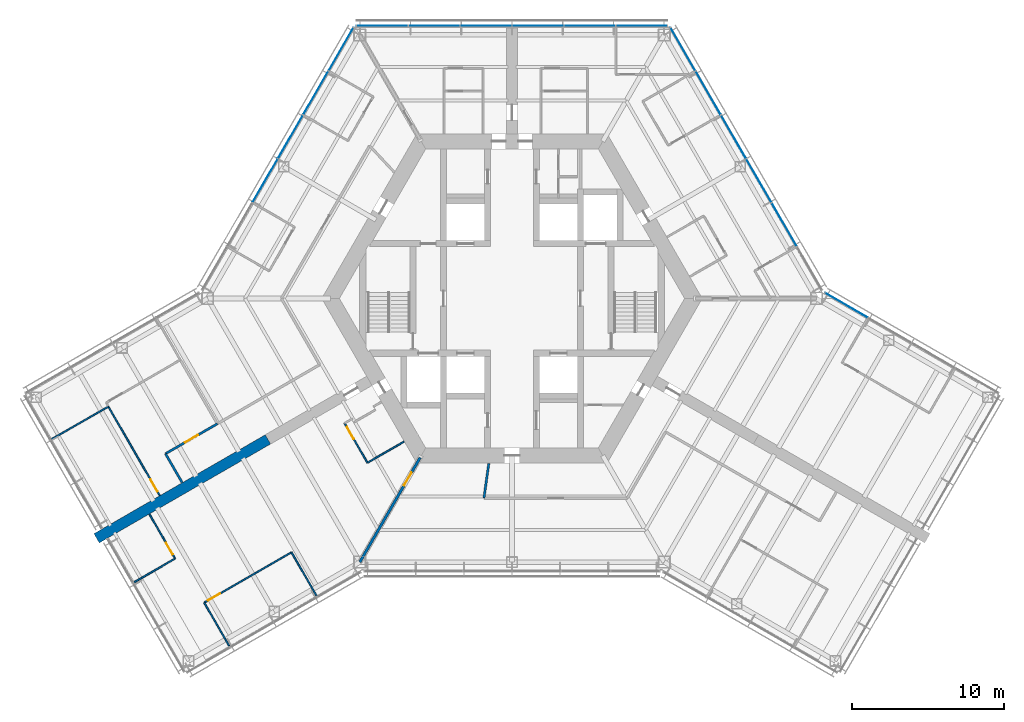
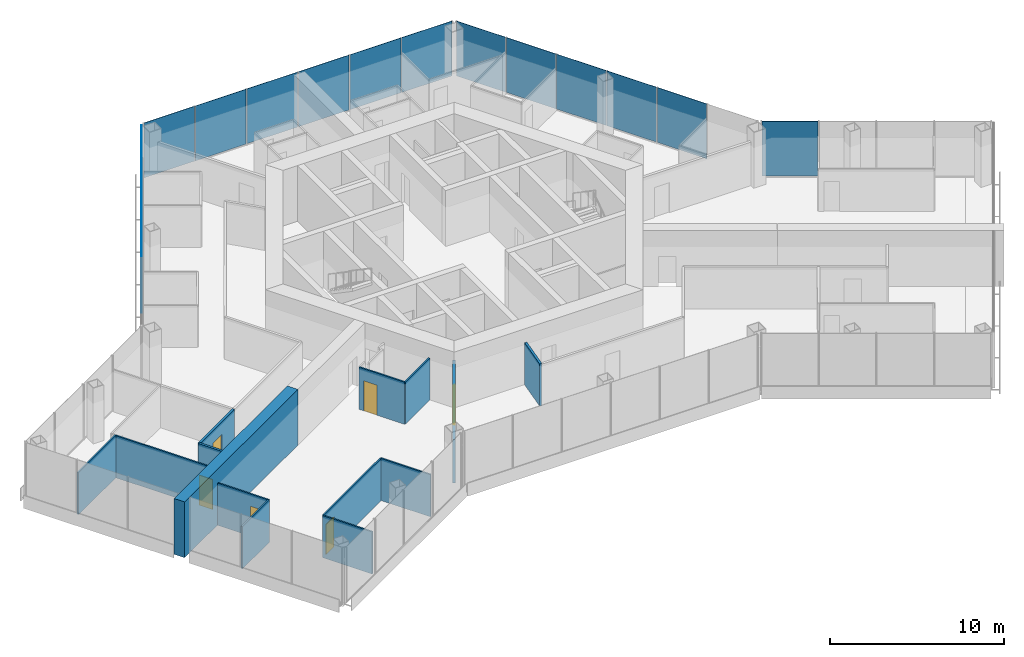
# One storey, part 11 of 18: 16 plates, 14 walls, 6 doors, 6 openings, 4 elements without a shape of their own.
"""IFC4 building model written with IfcOpenShell, lengths in metres."""

import ifcopenshell
import ifcopenshell.guid

model = None  # the IFC model being written
_history = None  # IfcOwnerHistory: only IFC2X3 demands one
_inside = {}  # id of a spatial element -> (the spatial element, [elements in it])
_under = {}  # id of a project, library or spatial element -> (it, [spatial elements below it])
_declared = {}  # id of a project -> (the project, [libraries it declares])
_typed = {}  # id of a type object -> (the type object, [elements of that type])
_made_of = {}  # id of a material, layer set ... -> (it, [elements and type objects made of it])


def new_model(schema):
    """Start an empty IFC model of exactly this schema.

    Asked for "IFC4X3", IfcOpenShell would pick the latest addendum, in which some entities
    have other attributes; the version numbers below select the first issue.
    IFC2X3 requires an IfcOwnerHistory on every rooted entity: one is made here for all.
    """
    global model, _history
    if schema == "IFC4X3":
        model = ifcopenshell.file(schema_version=(4, 3, 0, 0))
    else:
        model = ifcopenshell.file(schema=schema)
    _inside.clear()
    _under.clear()
    _declared.clear()
    _typed.clear()
    _made_of.clear()
    _history = None
    if model.schema == "IFC2X3":
        org = make("IfcOrganization", Name="unknown")
        user = make(
            "IfcPersonAndOrganization",
            ThePerson=make("IfcPerson", FamilyName="unknown"),
            TheOrganization=org,
        )
        app = make(
            "IfcApplication",
            ApplicationDeveloper=org,
            Version="unknown",
            ApplicationFullName="unknown",
            ApplicationIdentifier="unknown",
        )
        _history = make(
            "IfcOwnerHistory",
            OwningUser=user,
            OwningApplication=app,
            ChangeAction="ADDED",
            CreationDate=0,
        )
    return model


def make(cls, **values):
    """One entity of the class cls with the attributes given. An attribute that is None is left unset."""
    return model.create_entity(
        cls, **{name: value for name, value in values.items() if value is not None}
    )


def rooted(cls, **values):
    """An entity with a GlobalId (a new one), such as an element, a storey or a relation."""
    return make(cls, GlobalId=ifcopenshell.guid.new(), OwnerHistory=_history, **values)


def si_unit(unit_type, name, prefix=None):
    """IfcSIUnit, for example si_unit("LENGTHUNIT", "METRE", prefix="MILLI")."""
    return make("IfcSIUnit", UnitType=unit_type, Prefix=prefix, Name=name)


def assignment(units):
    """IfcUnitAssignment: the units of a project."""
    return None if units is None else make("IfcUnitAssignment", Units=units)


def point(xyz):
    """IfcCartesianPoint."""
    return None if xyz is None else make("IfcCartesianPoint", Coordinates=xyz)


def direction(xyz):
    """IfcDirection."""
    return None if xyz is None else make("IfcDirection", DirectionRatios=xyz)


def frame(location, z_axis=None, x_axis=None):
    """IfcAxis2Placement3D, a coordinate frame: its origin and axes. An axis left out is left unset."""
    return make(
        "IfcAxis2Placement3D",
        Location=point(location),
        Axis=direction(z_axis),
        RefDirection=direction(x_axis),
    )


def frame_2d(location, x_axis=None):
    """IfcAxis2Placement2D, a coordinate frame in the plane: its origin and x axis."""
    return make(
        "IfcAxis2Placement2D", Location=point(location), RefDirection=direction(x_axis)
    )


def origin():
    """The frame at (0, 0, 0) with its axes left unset."""
    return frame((0.0, 0.0, 0.0))


def origin_2d():
    """The frame at (0, 0) in the plane with its x axis left unset."""
    return frame_2d((0.0, 0.0))


def place(relative_to, where):
    """IfcLocalPlacement: puts the frame where relative to a parent placement (None: the world)."""
    return make(
        "IfcLocalPlacement", PlacementRelTo=relative_to, RelativePlacement=where
    )


def context(
    kind, dimensions, precision=None, world=None, true_north=None, identifier=None
):
    """IfcGeometricRepresentationContext, for example the 3D "Model" context."""
    return make(
        "IfcGeometricRepresentationContext",
        ContextIdentifier=identifier,
        ContextType=kind,
        CoordinateSpaceDimension=dimensions,
        Precision=precision,
        WorldCoordinateSystem=world,
        TrueNorth=true_north,
    )


def subcontext(parent, identifier, kind, view, scale=None):
    """IfcGeometricRepresentationSubContext, for example "Body" below "Model"."""
    return make(
        "IfcGeometricRepresentationSubContext",
        ContextIdentifier=identifier,
        ContextType=kind,
        ParentContext=parent,
        TargetScale=scale,
        TargetView=view,
    )


def project(units=None, contexts=None):
    """IfcProject with its units and contexts."""
    return rooted(
        "IfcProject",
        Name="project",
        RepresentationContexts=contexts,
        UnitsInContext=assignment(units),
    )


def spatial(cls, under=None, at=None, **own):
    """A site, building, storey or space (cls), placed at a placement, below another one or the project."""
    s = rooted(cls, ObjectPlacement=at, **own)
    if under is not None:
        _under.setdefault(under.id(), (under, []))[1].append(s)
    return s


def profile(cls, at=None, kind="AREA", **sizes):
    """A parametric profile (cls). Its sizes go by their IFC names, for example OverallWidth=200.0."""
    return make(cls, ProfileType=kind, Position=at, **sizes)


def rectangle(**sizes):
    """IfcRectangleProfileDef."""
    return profile("IfcRectangleProfileDef", **sizes)


def extrude(swept, where, along, depth):
    """IfcExtrudedAreaSolid: the profile swept, set in the frame where, extruded along a direction by depth."""
    return make(
        "IfcExtrudedAreaSolid",
        SweptArea=swept,
        Position=where,
        ExtrudedDirection=direction(along),
        Depth=depth,
    )


def shape(context_of_items, identifier, shape_type, items):
    """IfcShapeRepresentation: the items that make up one representation, for example the "Body"."""
    return make(
        "IfcShapeRepresentation",
        ContextOfItems=context_of_items,
        RepresentationIdentifier=identifier,
        RepresentationType=shape_type,
        Items=items,
    )


def material(Name=None, Category=None):
    """IfcMaterial."""
    return make("IfcMaterial", Name=Name, Category=Category)


def layer(
    of_material, thickness, ventilated=None, Name=None, Category=None, Priority=None
):
    """IfcMaterialLayer: one layer of a wall or slab, of a material (None: an air gap)."""
    return make(
        "IfcMaterialLayer",
        Material=of_material,
        LayerThickness=thickness,
        IsVentilated=ventilated,
        Name=Name,
        Category=Category,
        Priority=Priority,
    )


def layer_set(layers, Name=None):
    """IfcMaterialLayerSet."""
    return make("IfcMaterialLayerSet", MaterialLayers=layers, LayerSetName=Name)


def made_of(thing, what):
    """Note that an element or type object is made of a material, layer set ...; save() writes the relation."""
    if what is not None:
        _made_of.setdefault(what.id(), (what, []))[1].append(thing)
    return thing


def type_object(cls, material=None, **own):
    """A type object (cls), such as IfcWallType, which elements share."""
    return made_of(rooted(cls, **own), material)


def element(
    cls,
    number,
    at=None,
    inside=None,
    cuts=None,
    type_object=None,
    material=None,
    context=None,
    identifier="Body",
    shape_type=None,
    held_by="IfcProductDefinitionShape",
    body=None,
    shapes=None,
    **own,
):
    """One element of the class cls, such as IfcWall. Its Tag is "e" and its number.

    at: its placement. inside: the storey or other place that contains it. cuts: it is an
    opening in that element (IfcRelVoidsElement). A single representation is given by context,
    identifier, shape_type and body (its items); several are given by shapes. held_by: the class
    of the entity that holds the representations. save() writes the other relations.
    """
    e = rooted(cls, Tag="e%d" % number, ObjectPlacement=at, **own)
    if body is not None:
        shapes = [shape(context, identifier, shape_type, body)]
    if shapes is not None:
        e.Representation = make(held_by, Representations=shapes)
    if inside is not None:
        _inside.setdefault(inside.id(), (inside, []))[1].append(e)
    if cuts is not None:
        rooted(
            "IfcRelVoidsElement", RelatingBuildingElement=cuts, RelatedOpeningElement=e
        )
    if type_object is not None:
        _typed.setdefault(type_object.id(), (type_object, []))[1].append(e)
    return made_of(e, material)


def fill(opening, filler):
    """IfcRelFillsElement: the door or window that sits in an opening."""
    return rooted(
        "IfcRelFillsElement",
        RelatingOpeningElement=opening,
        RelatedBuildingElement=filler,
    )


def aggregate(whole, parts):
    """IfcRelAggregates: a whole, such as a stair, and the parts it consists of."""
    return rooted("IfcRelAggregates", RelatingObject=whole, RelatedObjects=parts)


def save(model, path):
    """Write the relations noted so far, then the file.

    IfcRelAggregates (storeys below a building ...), IfcRelContainedInSpatialStructure (elements
    in a storey), IfcRelDefinesByType, IfcRelAssociatesMaterial and IfcRelDeclares: one each for
    every whole, place, type object, material and project.
    """
    for whole, parts in _under.values():
        aggregate(whole, parts)
    for where, things in _inside.values():
        rooted(
            "IfcRelContainedInSpatialStructure",
            RelatedElements=things,
            RelatingStructure=where,
        )
    for kind, things in _typed.values():
        rooted("IfcRelDefinesByType", RelatedObjects=things, RelatingType=kind)
    for what, things in _made_of.values():
        rooted("IfcRelAssociatesMaterial", RelatedObjects=things, RelatingMaterial=what)
    for by, libraries in _declared.values():
        rooted("IfcRelDeclares", RelatingContext=by, RelatedDefinitions=libraries)
    model.write(path)


model = new_model("IFC4")

# Units and contexts
model_context = context("Model", 3, precision=1e-05, world=origin(), true_north=direction((0.0, 1.0)))
body_context = subcontext(model_context, "Body", "Model", "MODEL_VIEW")
ifc_project = project(units=[si_unit("LENGTHUNIT", "METRE"), si_unit("AREAUNIT", "SQUARE_METRE"), si_unit("VOLUMEUNIT", "CUBIC_METRE"), si_unit("PLANEANGLEUNIT", "RADIAN"), si_unit("MASSUNIT", "GRAM", prefix="KILO")], contexts=[model_context])

# Site, building, storey
site_placement = place(None, origin())
site = spatial("IfcSite", under=ifc_project, at=site_placement, CompositionType="ELEMENT")
building_placement = place(site_placement, origin())
building = spatial("IfcBuilding", under=site, at=building_placement, Name="Kasaneha Research Tower", CompositionType="ELEMENT")
storey_placement = place(building_placement, frame((0.0, 0.0, 148.699951171875)))
storey = spatial("IfcBuildingStorey", under=building, at=storey_placement, Name="L37", CompositionType="ELEMENT", Elevation=148.699951171875)

# Curtain wall, plate
ifc_material_1 = material(Name="Glass and aluminium", Category="aluminium")
curtain_wall_type = type_object("IfcCurtainWallType", Name="Mid-rise office curtain wall", PredefinedType="USERDEFINED", material=ifc_material_1)
curtain_wall_1_placement = place(storey_placement, origin())
curtain_wall_1 = element("IfcCurtainWall", 1, at=curtain_wall_1_placement, inside=storey, type_object=curtain_wall_type, Name="CW-O2 L37 run 05a", ObjectType="UNITISED CURTAIN WALL", PredefinedType="USERDEFINED")
ifc_material_2 = material(Name="Laminated double glazing", Category="glass")
ifc_layer_1 = layer(ifc_material_2, 0.02587890625)
ifc_layer_set_1 = layer_set([ifc_layer_1], Name="CW-O2 glazed panel")
plate_type = type_object("IfcPlateType", Name="CW-O2 glazed panel", PredefinedType="CURTAIN_PANEL", material=ifc_layer_set_1)
plate_1_placement = place(storey_placement, frame((21.971923828125, -0.44580078125, 0.06005859375), z_axis=(0.0, 0.0, 1.0), x_axis=(-0.866025411464, 0.499999986699, 0.0)))
plate_1 = element("IfcPlate", 2, at=plate_1_placement, type_object=plate_type, Name="CW-O2 panel 4", PredefinedType="CURTAIN_PANEL", context=body_context, shape_type="SweptSolid", body=[
    extrude(rectangle(XDim=3.2197265625, YDim=0.02587890625, at=origin_2d()), origin(), (0.0, 0.0, 1.0), 3.840087890625),
])
aggregate(curtain_wall_1, [plate_1])

# Curtain wall, plates
curtain_wall_2_placement = place(storey_placement, origin())
curtain_wall_2 = element("IfcCurtainWall", 3, at=curtain_wall_2_placement, inside=storey, type_object=curtain_wall_type, Name="CW-O2 L37 run 06a", ObjectType="UNITISED CURTAIN WALL", PredefinedType="USERDEFINED")
plate_2_placement = place(storey_placement, frame((17.89111328125, 4.852783203125, 0.06005859375), z_axis=(0.0, 0.0, 1.0), x_axis=(-0.499999979232, 0.866025415775, 0.0)))
plate_2 = element("IfcPlate", 4, at=plate_2_placement, type_object=plate_type, Name="CW-O2 panel 2", PredefinedType="CURTAIN_PANEL", context=body_context, shape_type="SweptSolid", body=[
    extrude(rectangle(XDim=3.27099609375, YDim=0.02587890625, at=origin_2d()), origin(), (0.0, 0.0, 1.0), 3.840087890625),
])
plate_3_placement = place(storey_placement, frame((16.2255859375, 7.737548828125, 0.06005859375), z_axis=(0.0, 0.0, 1.0), x_axis=(-0.499999979232, 0.866025415775, 0.0)))
plate_3 = element("IfcPlate", 5, at=plate_3_placement, type_object=plate_type, Name="CW-O2 panel 3", PredefinedType="CURTAIN_PANEL", context=body_context, shape_type="SweptSolid", body=[
    extrude(rectangle(XDim=3.27099609375, YDim=0.02587890625, at=origin_2d()), origin(), (0.0, 0.0, 1.0), 3.840087890625),
])
plate_4_placement = place(storey_placement, frame((14.56005859375, 10.622314453125, 0.06005859375), z_axis=(0.0, 0.0, 1.0), x_axis=(-0.499999979232, 0.866025415775, 0.0)))
plate_4 = element("IfcPlate", 6, at=plate_4_placement, type_object=plate_type, Name="CW-O2 panel 4", PredefinedType="CURTAIN_PANEL", context=body_context, shape_type="SweptSolid", body=[
    extrude(rectangle(XDim=3.27099609375, YDim=0.02587890625, at=origin_2d()), origin(), (0.0, 0.0, 1.0), 3.840087890625),
])
plate_5_placement = place(storey_placement, frame((12.89453125, 13.5068359375, 0.06005859375), z_axis=(0.0, 0.0, 1.0), x_axis=(-0.499999979232, 0.866025415775, 0.0)))
plate_5 = element("IfcPlate", 7, at=plate_5_placement, type_object=plate_type, Name="CW-O2 panel 5", PredefinedType="CURTAIN_PANEL", context=body_context, shape_type="SweptSolid", body=[
    extrude(rectangle(XDim=3.27099609375, YDim=0.02587890625, at=origin_2d()), origin(), (0.0, 0.0, 1.0), 3.840087890625),
])
plate_6_placement = place(storey_placement, frame((11.236572265625, 16.378662109375, 0.06005859375), z_axis=(0.0, 0.0, 1.0), x_axis=(-0.499999979232, 0.866025415775, 0.0)))
plate_6 = element("IfcPlate", 8, at=plate_6_placement, type_object=plate_type, Name="CW-O2 panel 6", PredefinedType="CURTAIN_PANEL", context=body_context, shape_type="SweptSolid", body=[
    extrude(rectangle(XDim=3.240966796875, YDim=0.02587890625, at=origin_2d()), origin(), (0.0, 0.0, 1.0), 3.840087890625),
])
aggregate(curtain_wall_2, [plate_2, plate_3, plate_4, plate_5, plate_6])

curtain_wall_3_placement = place(storey_placement, origin())
curtain_wall_3 = element("IfcCurtainWall", 9, at=curtain_wall_3_placement, inside=storey, type_object=curtain_wall_type, Name="CW-O2 L37 run 07a", ObjectType="UNITISED CURTAIN WALL", PredefinedType="USERDEFINED")
plate_7_placement = place(storey_placement, frame((8.523681640625, 17.92041015625, 0.06005859375), z_axis=(0.0, 0.0, 1.0), x_axis=(-1.0, 0.0, 0.0)))
plate_7 = element("IfcPlate", 10, at=plate_7_placement, type_object=plate_type, Name="CW-O2 panel 1", PredefinedType="CURTAIN_PANEL", context=body_context, shape_type="SweptSolid", body=[
    extrude(rectangle(XDim=3.325439453125, YDim=0.02587890625, at=origin_2d()), origin(), (0.0, 0.0, 1.0), 3.840087890625),
])
plate_8_placement = place(storey_placement, frame((5.123291015625, 17.92041015625, 0.06005859375), z_axis=(0.0, 0.0, 1.0), x_axis=(-1.0, 0.0, 0.0)))
plate_8 = element("IfcPlate", 11, at=plate_8_placement, type_object=plate_type, Name="CW-O2 panel 2", PredefinedType="CURTAIN_PANEL", context=body_context, shape_type="SweptSolid", body=[
    extrude(rectangle(XDim=3.35546875, YDim=0.02587890625, at=origin_2d()), origin(), (0.0, 0.0, 1.0), 3.840087890625),
])
plate_9_placement = place(storey_placement, frame((1.707763671875, 17.92041015625, 0.06005859375), z_axis=(0.0, 0.0, 1.0), x_axis=(-1.0, 0.0, 0.0)))
plate_9 = element("IfcPlate", 12, at=plate_9_placement, type_object=plate_type, Name="CW-O2 panel 3", PredefinedType="CURTAIN_PANEL", context=body_context, shape_type="SweptSolid", body=[
    extrude(rectangle(XDim=3.35546875, YDim=0.02587890625, at=origin_2d()), origin(), (0.0, 0.0, 1.0), 3.840087890625),
])
plate_10_placement = place(storey_placement, frame((-1.707763671875, 17.92041015625, 0.06005859375), z_axis=(0.0, 0.0, 1.0), x_axis=(-1.0, 0.0, 0.0)))
plate_10 = element("IfcPlate", 13, at=plate_10_placement, type_object=plate_type, Name="CW-O2 panel 4", PredefinedType="CURTAIN_PANEL", context=body_context, shape_type="SweptSolid", body=[
    extrude(rectangle(XDim=3.35546875, YDim=0.02587890625, at=origin_2d()), origin(), (0.0, 0.0, 1.0), 3.840087890625),
])
plate_11_placement = place(storey_placement, frame((-5.123291015625, 17.92041015625, 0.06005859375), z_axis=(0.0, 0.0, 1.0), x_axis=(-1.0, 0.0, 0.0)))
plate_11 = element("IfcPlate", 14, at=plate_11_placement, type_object=plate_type, Name="CW-O2 panel 5", PredefinedType="CURTAIN_PANEL", context=body_context, shape_type="SweptSolid", body=[
    extrude(rectangle(XDim=3.35546875, YDim=0.02587890625, at=origin_2d()), origin(), (0.0, 0.0, 1.0), 3.840087890625),
])
plate_12_placement = place(storey_placement, frame((-8.523681640625, 17.92041015625, 0.06005859375), z_axis=(0.0, 0.0, 1.0), x_axis=(-1.0, 0.0, 0.0)))
plate_12 = element("IfcPlate", 15, at=plate_12_placement, type_object=plate_type, Name="CW-O2 panel 6", PredefinedType="CURTAIN_PANEL", context=body_context, shape_type="SweptSolid", body=[
    extrude(rectangle(XDim=3.325439453125, YDim=0.02587890625, at=origin_2d()), origin(), (0.0, 0.0, 1.0), 3.840087890625),
])
aggregate(curtain_wall_3, [plate_7, plate_8, plate_9, plate_10, plate_11, plate_12])

curtain_wall_4_placement = place(storey_placement, origin())
curtain_wall_4 = element("IfcCurtainWall", 16, at=curtain_wall_4_placement, inside=storey, type_object=curtain_wall_type, Name="CW-O2 L37 run 08a", ObjectType="UNITISED CURTAIN WALL", PredefinedType="USERDEFINED")
plate_13_placement = place(storey_placement, frame((-11.236572265625, 16.378662109375, 0.06005859375), z_axis=(0.0, 0.0, 1.0), x_axis=(-0.499999979232, -0.866025415775, 0.0)))
plate_13 = element("IfcPlate", 17, at=plate_13_placement, type_object=plate_type, Name="CW-O2 panel 1", PredefinedType="CURTAIN_PANEL", context=body_context, shape_type="SweptSolid", body=[
    extrude(rectangle(XDim=3.240966796875, YDim=0.02587890625, at=origin_2d()), origin(), (0.0, 0.0, 1.0), 3.840087890625),
])
plate_14_placement = place(storey_placement, frame((-12.89453125, 13.5068359375, 0.06005859375), z_axis=(0.0, 0.0, 1.0), x_axis=(-0.499999979232, -0.866025415775, 0.0)))
plate_14 = element("IfcPlate", 18, at=plate_14_placement, type_object=plate_type, Name="CW-O2 panel 2", PredefinedType="CURTAIN_PANEL", context=body_context, shape_type="SweptSolid", body=[
    extrude(rectangle(XDim=3.27099609375, YDim=0.02587890625, at=origin_2d()), origin(), (0.0, 0.0, 1.0), 3.840087890625),
])
plate_15_placement = place(storey_placement, frame((-14.56005859375, 10.622314453125, 0.06005859375), z_axis=(0.0, 0.0, 1.0), x_axis=(-0.499999979232, -0.866025415775, 0.0)))
plate_15 = element("IfcPlate", 19, at=plate_15_placement, type_object=plate_type, Name="CW-O2 panel 3", PredefinedType="CURTAIN_PANEL", context=body_context, shape_type="SweptSolid", body=[
    extrude(rectangle(XDim=3.27099609375, YDim=0.02587890625, at=origin_2d()), origin(), (0.0, 0.0, 1.0), 3.840087890625),
])
plate_16_placement = place(storey_placement, frame((-16.2255859375, 7.737548828125, 0.06005859375), z_axis=(0.0, 0.0, 1.0), x_axis=(-0.499999979232, -0.866025415775, 0.0)))
plate_16 = element("IfcPlate", 20, at=plate_16_placement, type_object=plate_type, Name="CW-O2 panel 4", PredefinedType="CURTAIN_PANEL", context=body_context, shape_type="SweptSolid", body=[
    extrude(rectangle(XDim=3.27099609375, YDim=0.02587890625, at=origin_2d()), origin(), (0.0, 0.0, 1.0), 3.840087890625),
])
aggregate(curtain_wall_4, [plate_13, plate_14, plate_15, plate_16])

# Wall
ifc_material_3 = material(Name="Gypsum board on steel studs, one layer each side", Category="steel")
ifc_layer_2 = layer(ifc_material_3, 0.10009765625)
ifc_layer_set_2 = layer_set([ifc_layer_2], Name="Office partition 100")
wall_type_1 = type_object("IfcWallType", Name="Office partition 100", PredefinedType="PARTITIONING", material=ifc_layer_set_2)
wall_1_placement = place(storey_placement, frame((-30.254150390625, -9.24951171875, 0.0), z_axis=(0.0, 0.0, 1.0), x_axis=(0.866678925358, 0.49886635519, 0.0)))
element("IfcWall", 21, at=wall_1_placement, inside=storey, type_object=wall_type_1, Name="Office partition FBN10 L37", PredefinedType="PARTITIONING", context=body_context, shape_type="SweptSolid", body=[
    extrude(rectangle(XDim=4.30517578125, YDim=0.10009765625, at=frame_2d((2.152587890625, 0.0))), origin(), (0.0, 0.0, 1.0), 2.949951171875),
])

# Wall, opening, door
wall_2_placement = place(storey_placement, frame((-26.529296875, -7.09912109375, 0.0), z_axis=(0.0, 0.0, 1.0), x_axis=(0.500544055966, -0.865711064985, 0.0)))
wall_2 = element("IfcWall", 22, at=wall_2_placement, inside=storey, type_object=wall_type_1, Name="Office partition FBN11 L37", PredefinedType="PARTITIONING", context=body_context, shape_type="SweptSolid", body=[
    extrude(rectangle(XDim=6.74658203125, YDim=0.10009765625, at=frame_2d((3.373291015625, 0.0))), origin(), (0.0, 0.0, 1.0), 2.949951171875),
])
opening_1_placement = place(wall_2_placement, frame((5.546630859375, 0.0, 0.0)))
opening_1 = element("IfcOpeningElement", 23, at=opening_1_placement, cuts=wall_2, Name="Opening L37-D37", PredefinedType="OPENING", context=body_context, shape_type="SweptSolid", body=[
    extrude(rectangle(XDim=0.89990234375, YDim=2.10009765625, at=frame_2d((0.449951171875, 1.050048828125))), frame((0.0, 0.06005859375, 0.0), z_axis=(0.0, -1.0, 0.0), x_axis=(1.0, 0.0, 0.0)), (0.0, 0.0, 1.0), 0.1201171875),
])
ifc_material_4 = material(Name="Timber veneer", Category="wood")
door_type_1 = type_object("IfcDoorType", Name="Office door 900x2100", OperationType="SINGLE_SWING_LEFT", PredefinedType="DOOR", material=ifc_material_4)
door_1_placement = place(opening_1_placement, origin())
door_1 = element("IfcDoor", 24, at=door_1_placement, inside=storey, type_object=door_type_1, Name="Meeting room door L37-D37", OperationType="SINGLE_SWING_RIGHT", OverallHeight=2.10009765625, OverallWidth=0.89990234375, PredefinedType="DOOR", context=body_context, shape_type="SweptSolid", body=[
    extrude(rectangle(XDim=0.89990234375, YDim=2.10009765625, at=frame_2d((0.449951171875, 1.050048828125))), frame((0.0, 0.02490234375, 0.0), z_axis=(0.0, -1.0, 0.0), x_axis=(1.0, 0.0, 0.0)), (0.0, 0.0, 1.0), 0.050048828125),
])
fill(opening_1, door_1)

wall_3_placement = place(storey_placement, frame((-9.49951171875, -10.796142578125, 0.0), z_axis=(0.0, 0.0, 1.0), x_axis=(-0.499990139034, 0.866031096941, 0.0)))
wall_3 = element("IfcWall", 25, at=wall_3_placement, inside=storey, type_object=wall_type_1, Name="Office partition FBS03 L37", PredefinedType="PARTITIONING", context=body_context, shape_type="SweptSolid", body=[
    extrude(rectangle(XDim=3.0, YDim=0.10009765625, at=frame_2d((1.5, 0.0))), origin(), (0.0, 0.0, 1.0), 2.949951171875),
])
opening_2_placement = place(wall_3_placement, frame((1.800048828125, 0.0, 0.0)))
opening_2 = element("IfcOpeningElement", 26, at=opening_2_placement, cuts=wall_3, Name="Opening L37-D40", PredefinedType="OPENING", context=body_context, shape_type="SweptSolid", body=[
    extrude(rectangle(XDim=0.89990234375, YDim=2.10009765625, at=frame_2d((0.449951171875, 1.050048828125))), frame((0.0, 0.06005859375, 0.0), z_axis=(0.0, -1.0, 0.0), x_axis=(1.0, 0.0, 0.0)), (0.0, 0.0, 1.0), 0.1201171875),
])
door_2_placement = place(opening_2_placement, origin())
door_2 = element("IfcDoor", 27, at=door_2_placement, inside=storey, type_object=door_type_1, Name="Pantry door L37-D40", OperationType="SINGLE_SWING_RIGHT", OverallHeight=2.10009765625, OverallWidth=0.89990234375, PredefinedType="DOOR", context=body_context, shape_type="SweptSolid", body=[
    extrude(rectangle(XDim=0.89990234375, YDim=2.10009765625, at=frame_2d((0.449951171875, 1.050048828125))), frame((0.0, 0.02490234375, 0.0), z_axis=(0.0, -1.0, 0.0), x_axis=(1.0, 0.0, 0.0)), (0.0, 0.0, 1.0), 0.050048828125),
])
fill(opening_2, door_2)

# Wall
wall_4_placement = place(storey_placement, frame((-7.092041015625, -9.40625, 0.0), z_axis=(0.0, 0.0, 1.0), x_axis=(-0.86603494908, -0.499983466698, 0.0)))
element("IfcWall", 28, at=wall_4_placement, inside=storey, type_object=wall_type_1, Name="Office partition FBS05 L37", PredefinedType="PARTITIONING", context=body_context, shape_type="SweptSolid", body=[
    extrude(rectangle(XDim=2.77978515625, YDim=0.10009765625, at=frame_2d((1.389892578125, 0.0))), origin(), (0.0, 0.0, 1.0), 2.949951171875),
])

# Wall, opening, door
wall_5_placement = place(storey_placement, frame((-20.22509765625, -19.99072265625, 0.0), z_axis=(0.0, 0.0, 1.0), x_axis=(0.866030817826, 0.499990622488, 0.0)))
wall_5 = element("IfcWall", 29, at=wall_5_placement, inside=storey, type_object=wall_type_1, Name="Office partition FBS06 L37", PredefinedType="PARTITIONING", context=body_context, shape_type="SweptSolid", body=[
    extrude(rectangle(XDim=6.619873046875, YDim=0.10009765625, at=frame_2d((3.31005859375, 0.0))), origin(), (0.0, 0.0, 1.0), 2.949951171875),
])
opening_3_placement = place(wall_5_placement, frame((0.300048828125, 0.0, 0.0)))
opening_3 = element("IfcOpeningElement", 30, at=opening_3_placement, cuts=wall_5, Name="Opening L37-D41", PredefinedType="OPENING", context=body_context, shape_type="SweptSolid", body=[
    extrude(rectangle(XDim=0.89990234375, YDim=2.10009765625, at=frame_2d((0.449951171875, 1.050048828125))), frame((0.0, 0.06005859375, 0.0), z_axis=(0.0, -1.0, 0.0), x_axis=(1.0, 0.0, 0.0)), (0.0, 0.0, 1.0), 0.1201171875),
])
door_3_placement = place(opening_3_placement, origin())
door_3 = element("IfcDoor", 31, at=door_3_placement, inside=storey, type_object=door_type_1, Name="Meeting room door L37-D41", OperationType="SINGLE_SWING_LEFT", OverallHeight=2.10009765625, OverallWidth=0.89990234375, PredefinedType="DOOR", context=body_context, shape_type="SweptSolid", body=[
    extrude(rectangle(XDim=0.89990234375, YDim=2.10009765625, at=frame_2d((0.449951171875, 1.050048828125))), frame((0.0, 0.02490234375, 0.0), z_axis=(0.0, -1.0, 0.0), x_axis=(1.0, 0.0, 0.0)), (0.0, 0.0, 1.0), 0.050048828125),
])
fill(opening_3, door_3)

# Walls
wall_6_placement = place(storey_placement, frame((-18.5849609375, -22.831298828125, 0.0), z_axis=(0.0, 0.0, 1.0), x_axis=(-0.50002956483, 0.866008333849, 0.0)))
element("IfcWall", 32, at=wall_6_placement, inside=storey, type_object=wall_type_1, Name="Office partition FBS07 L37", PredefinedType="PARTITIONING", context=body_context, shape_type="SweptSolid", body=[
    extrude(rectangle(XDim=3.280029296875, YDim=0.10009765625, at=frame_2d((1.64013671875, 0.0))), origin(), (0.0, 0.0, 1.0), 2.949951171875),
])
wall_7_placement = place(storey_placement, frame((-14.4921875, -16.680908203125, 0.0), z_axis=(0.0, 0.0, 1.0), x_axis=(0.500008057651, -0.866020751647, 0.0)))
element("IfcWall", 33, at=wall_7_placement, inside=storey, type_object=wall_type_1, Name="Office partition FBS08 L37", PredefinedType="PARTITIONING", context=body_context, shape_type="SweptSolid", body=[
    extrude(rectangle(XDim=3.30517578125, YDim=0.10009765625, at=frame_2d((1.652587890625, 0.0))), origin(), (0.0, 0.0, 1.0), 2.949951171875),
])

# Wall, opening, door
wall_8_placement = place(storey_placement, frame((-23.82177734375, -14.1806640625, 0.0), z_axis=(0.0, 0.0, 1.0), x_axis=(0.500034510166, -0.866005478414, 0.0)))
wall_8 = element("IfcWall", 34, at=wall_8_placement, inside=storey, type_object=wall_type_1, Name="Office partition FBS09 L37", PredefinedType="PARTITIONING", context=body_context, shape_type="SweptSolid", body=[
    extrude(rectangle(XDim=3.363525390625, YDim=0.10009765625, at=frame_2d((1.681640625, 0.0))), origin(), (0.0, 0.0, 1.0), 2.949951171875),
])
opening_4_placement = place(wall_8_placement, frame((2.163330078125, 0.0, 0.0)))
opening_4 = element("IfcOpeningElement", 35, at=opening_4_placement, cuts=wall_8, Name="Opening L37-D42", PredefinedType="OPENING", context=body_context, shape_type="SweptSolid", body=[
    extrude(rectangle(XDim=0.89990234375, YDim=2.10009765625, at=frame_2d((0.449951171875, 1.050048828125))), frame((0.0, 0.06005859375, 0.0), z_axis=(0.0, -1.0, 0.0), x_axis=(1.0, 0.0, 0.0)), (0.0, 0.0, 1.0), 0.1201171875),
])
door_4_placement = place(opening_4_placement, origin())
door_4 = element("IfcDoor", 36, at=door_4_placement, inside=storey, type_object=door_type_1, Name="Workroom door L37-D42", OperationType="SINGLE_SWING_RIGHT", OverallHeight=2.10009765625, OverallWidth=0.89990234375, PredefinedType="DOOR", context=body_context, shape_type="SweptSolid", body=[
    extrude(rectangle(XDim=0.89990234375, YDim=2.10009765625, at=frame_2d((0.449951171875, 1.050048828125))), frame((0.0, 0.02490234375, 0.0), z_axis=(0.0, -1.0, 0.0), x_axis=(1.0, 0.0, 0.0)), (0.0, 0.0, 1.0), 0.050048828125),
])
fill(opening_4, door_4)

# Walls
wall_9_placement = place(storey_placement, frame((-22.139892578125, -17.093505859375, 0.0), z_axis=(0.0, 0.0, 1.0), x_axis=(-0.866042875753, -0.499969736442, 0.0)))
element("IfcWall", 37, at=wall_9_placement, inside=storey, type_object=wall_type_1, Name="Office partition FBS10 L37", PredefinedType="PARTITIONING", context=body_context, shape_type="SweptSolid", body=[
    extrude(rectangle(XDim=3.105224609375, YDim=0.10009765625, at=frame_2d((1.552734375, 0.0))), origin(), (0.0, 0.0, 1.0), 2.949951171875),
])
ifc_material_5 = material(Name="Concrete Fc70", Category="concrete")
ifc_layer_3 = layer(ifc_material_5, 0.699951171875)
ifc_layer_set_3 = layer_set([ifc_layer_3], Name="Spine wall 700 Fc70")
wall_type_2 = type_object("IfcWallType", Name="Spine wall 700 Fc70", PredefinedType="SHEAR", material=ifc_layer_set_3)
wall_10_placement = place(storey_placement, frame((-16.039306640625, -9.26025390625, 0.0), z_axis=(0.0, 0.0, 1.0), x_axis=(-0.866024837091, -0.50000098154, 0.0)))
element("IfcWall", 38, at=wall_10_placement, inside=storey, type_object=wall_type_2, Name="Spine wall B wing L37", PredefinedType="SHEAR", context=body_context, shape_type="SweptSolid", body=[
    extrude(rectangle(XDim=13.0, YDim=0.699951171875, at=frame_2d((6.5, 0.0))), origin(), (0.0, 0.0, 1.0), 3.900146484375),
])

# Wall, opening, door
ifc_material_6 = material(Name="Gypsum board on steel studs, two layers each side", Category="steel")
ifc_layer_4 = layer(ifc_material_6, 0.14990234375)
ifc_layer_set_4 = layer_set([ifc_layer_4], Name="Suite partition 150")
wall_type_3 = type_object("IfcWallType", Name="Suite partition 150", PredefinedType="PARTITIONING", material=ifc_layer_set_4)
wall_11_placement = place(storey_placement, frame((-22.770263671875, -10.201904296875, 0.0), z_axis=(0.0, 0.0, 1.0), x_axis=(0.866027491634, 0.499996383721, 0.0)))
wall_11 = element("IfcWall", 39, at=wall_11_placement, inside=storey, type_object=wall_type_3, Name="Suite partition FBN05 L37", PredefinedType="PARTITIONING", context=body_context, shape_type="SweptSolid", body=[
    extrude(rectangle(XDim=3.9345703125, YDim=0.14990234375, at=frame_2d((1.96728515625, 0.0))), origin(), (0.0, 0.0, 1.0), 2.949951171875),
])
opening_5_placement = place(wall_11_placement, frame((1.46728515625, 0.0, 0.0)))
opening_5 = element("IfcOpeningElement", 40, at=opening_5_placement, cuts=wall_11, Name="Opening L37-D35", PredefinedType="OPENING", context=body_context, shape_type="SweptSolid", body=[
    extrude(rectangle(XDim=1.0, YDim=2.10009765625, at=frame_2d((0.5, 1.050048828125))), frame((0.0, 0.0849609375, 0.0), z_axis=(0.0, -1.0, 0.0), x_axis=(1.0, 0.0, 0.0)), (0.0, 0.0, 1.0), 0.169921875),
])
ifc_material_7 = material(Name="Steel", Category="steel")
door_type_2 = type_object("IfcDoorType", Name="Suite entrance door FD60 1000x2100", OperationType="NOTDEFINED", PredefinedType="DOOR", material=ifc_material_7)
door_5_placement = place(opening_5_placement, origin())
door_5 = element("IfcDoor", 41, at=door_5_placement, inside=storey, type_object=door_type_2, Name="Suite entrance door L37-D35", OperationType="SINGLE_SWING_RIGHT", OverallHeight=2.10009765625, OverallWidth=1.0, PredefinedType="DOOR", context=body_context, shape_type="SweptSolid", body=[
    extrude(rectangle(XDim=1.0, YDim=2.10009765625, at=frame_2d((0.5, 1.050048828125))), frame((0.0, 0.02490234375, 0.0), z_axis=(0.0, -1.0, 0.0), x_axis=(1.0, 0.0, 0.0)), (0.0, 0.0, 1.0), 0.050048828125),
])
fill(opening_5, door_5)

# Walls
wall_12_placement = place(storey_placement, frame((-21.68017578125, -12.08984375, 0.0), z_axis=(0.0, 0.0, 1.0), x_axis=(-0.500029427677, 0.866008413041, 0.0)))
element("IfcWall", 42, at=wall_12_placement, inside=storey, type_object=wall_type_3, Name="Suite partition FBN06 L37", PredefinedType="PARTITIONING", context=body_context, shape_type="SweptSolid", body=[
    extrude(rectangle(XDim=2.179931640625, YDim=0.14990234375, at=frame_2d((1.08984375, 0.0))), origin(), (0.0, 0.0, 1.0), 2.949951171875),
])
wall_13_placement = place(storey_placement, frame((-1.844482421875, -13.125, 0.0), z_axis=(0.0, 0.0, 1.0), x_axis=(0.139119980631, 0.990275532864, 0.0)))
element("IfcWall", 43, at=wall_13_placement, inside=storey, type_object=wall_type_3, Name="Suite partition FCS01 L37", PredefinedType="PARTITIONING", context=body_context, shape_type="SweptSolid", body=[
    extrude(rectangle(XDim=2.302490234375, YDim=0.14990234375, at=frame_2d((1.1513671875, 0.0))), origin(), (0.0, 0.0, 1.0), 2.949951171875),
])

# Wall, opening, door
ifc_material_8 = material(Name="Gypsum board on steel studs, two layers each side", Category="steel")
ifc_layer_5 = layer(ifc_material_8, 0.175048828125)
ifc_layer_set_5 = layer_set([ifc_layer_5], Name="Tenancy fire partition 175")
wall_type_4 = type_object("IfcWallType", Name="Tenancy fire partition 175", PredefinedType="PARTITIONING", material=ifc_layer_set_5)
wall_14_placement = place(storey_placement, frame((-6.034912109375, -10.45263671875, 0.0), z_axis=(0.0, 0.0, 1.0), x_axis=(-0.499989830942, -0.866031274813, 0.0)))
wall_14 = element("IfcWall", 44, at=wall_14_placement, inside=storey, type_object=wall_type_4, Name="Tenancy fire partition T240 L37", PredefinedType="PARTITIONING", context=body_context, shape_type="SweptSolid", body=[
    extrude(rectangle(XDim=7.930419921875, YDim=0.175048828125, at=frame_2d((3.96533203125, 0.0))), origin(), (0.0, 0.0, 1.0), 3.050048828125),
])
opening_6_placement = place(wall_14_placement, frame((1.1298828125, 0.0, 0.0)))
opening_6 = element("IfcOpeningElement", 45, at=opening_6_placement, cuts=wall_14, Name="Opening L37-D25", PredefinedType="OPENING", context=body_context, shape_type="SweptSolid", body=[
    extrude(rectangle(XDim=1.0, YDim=2.10009765625, at=frame_2d((0.5, 1.050048828125))), frame((0.0, 0.09765625, 0.0), z_axis=(0.0, -1.0, 0.0), x_axis=(1.0, 0.0, 0.0)), (0.0, 0.0, 1.0), 0.195068359375),
])
door_6_placement = place(opening_6_placement, origin())
door_6 = element("IfcDoor", 46, at=door_6_placement, inside=storey, type_object=door_type_2, Name="Connecting door L37-D25", OperationType="SINGLE_SWING_LEFT", OverallHeight=2.10009765625, OverallWidth=1.0, PredefinedType="DOOR", context=body_context, shape_type="SweptSolid", body=[
    extrude(rectangle(XDim=1.0, YDim=2.10009765625, at=frame_2d((0.5, 1.050048828125))), frame((0.0, 0.02490234375, 0.0), z_axis=(0.0, -1.0, 0.0), x_axis=(1.0, 0.0, 0.0)), (0.0, 0.0, 1.0), 0.050048828125),
])
fill(opening_6, door_6)

save(model, "model.ifc")
